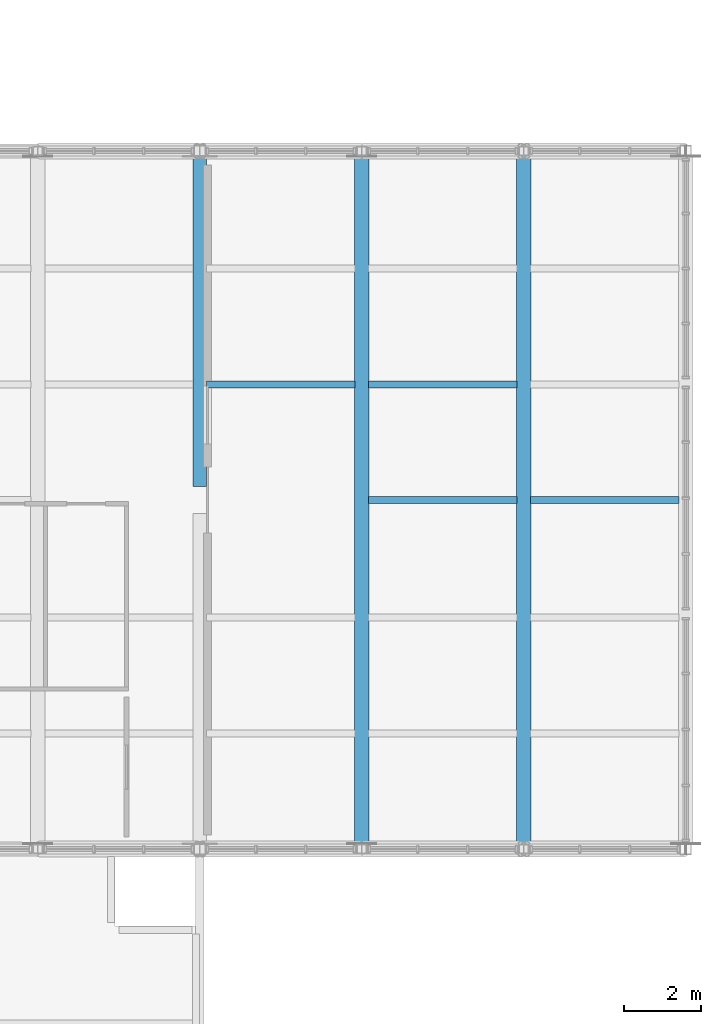
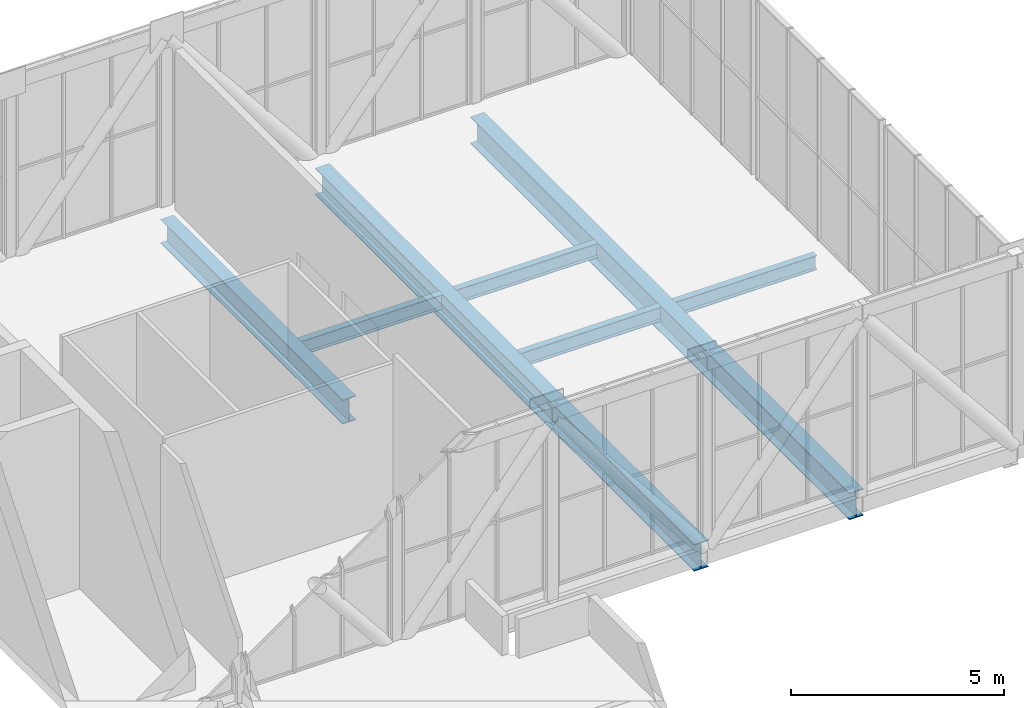
# One storey, part 38 of 58: 7 beams.
"""IFC4 building model written with IfcOpenShell, lengths in metres."""

from ifc_helpers import new_model, si_unit, direction, frame, origin, origin_2d, place, context, subcontext, project, spatial, i_section, extrude, material, material_profile, profile_set, type_object, element, save


model = new_model("IFC4")

# Units and contexts
model_context = context("Model", 3, precision=1e-05, world=origin(), true_north=direction((0.0, 1.0)))
body_context = subcontext(model_context, "Body", "Model", "MODEL_VIEW")
ifc_project = project(units=[si_unit("LENGTHUNIT", "METRE"), si_unit("AREAUNIT", "SQUARE_METRE"), si_unit("VOLUMEUNIT", "CUBIC_METRE"), si_unit("PLANEANGLEUNIT", "RADIAN"), si_unit("MASSUNIT", "GRAM", prefix="KILO")], contexts=[model_context])

# Site, building, storey
site_placement = place(None, origin())
site = spatial("IfcSite", under=ifc_project, at=site_placement, CompositionType="ELEMENT")
building_placement = place(site_placement, origin())
building = spatial("IfcBuilding", under=site, at=building_placement, Name="Khurvash Pelagic Aquarium", CompositionType="ELEMENT")
storey_placement = place(building_placement, frame((0.0, 0.0, 24.60009765625)))
storey = spatial("IfcBuildingStorey", under=building, at=storey_placement, Name="L05", CompositionType="ELEMENT", Elevation=24.60009765625)

# Beams
ifc_material = material(Name="Steel ASTM A992 Grade 50", Category="steel")
ifc_material_profile_1 = material_profile(ifc_material, i_section(OverallWidth=0.381103515625, OverallDepth=0.77197265625, WebThickness=0.0166015625, FlangeThickness=0.027099609375, at=origin_2d()), Name="W30X173")
ifc_profile_set_1 = profile_set([ifc_material_profile_1], Name="Steel ASTM A992 Grade 50")
beam_type_1 = type_object("IfcBeamType", Name="BM-08", PredefinedType="BEAM", material=ifc_profile_set_1)
for number, where, z_axis, x_axis, name in (
    (1, (113.39990234375, 11.81005859375, -0.68603515625), (0.0, 1.0, 0.0), (-1.0, 0.0, 0.0), "L05 Sky-Bar Transverse Floor Girder BM-08 N25"),
    (2, (117.60009765625, 11.81005859375, -0.68603515625), (0.0, 1.0, 0.0), (-1.0, 0.0, 0.0), "L05 Sky-Bar Transverse Floor Girder BM-08 N26"),
):
    element("IfcBeam", number, at=place(storey_placement, frame(where, z_axis=z_axis, x_axis=x_axis)), inside=storey, type_object=beam_type_1, Name=name, PredefinedType="BEAM", context=body_context, shape_type="SweptSolid", body=[
        extrude(i_section(OverallWidth=0.381103515625, OverallDepth=0.77197265625, WebThickness=0.0166015625, FlangeThickness=0.027099609375, at=origin_2d()), origin(), (0.0, 0.0, 1.0), 17.780029296875),
    ])
ifc_material_profile_2 = material_profile(ifc_material, i_section(OverallWidth=0.35595703125, OverallDepth=0.696044921875, WebThickness=0.015380859375, FlangeThickness=0.02490234375, at=origin_2d()), Name="W27X146")
ifc_profile_set_2 = profile_set([ifc_material_profile_2], Name="Steel ASTM A992 Grade 50")
beam_type_2 = type_object("IfcBeamType", Name="BM-09", PredefinedType="BEAM", material=ifc_profile_set_2)
beam_1_placement = place(storey_placement, frame((109.199951171875, 21.050048828125, -0.648193359375), z_axis=(0.0, 1.0, 0.0), x_axis=(-1.0, 0.0, 0.0)))
element("IfcBeam", 3, at=beam_1_placement, inside=storey, type_object=beam_type_2, Name="L05 Sky-Bar Transverse Floor Girder BM-09 N24", PredefinedType="BEAM", context=body_context, shape_type="SweptSolid", body=[
    extrude(i_section(OverallWidth=0.35595703125, OverallDepth=0.696044921875, WebThickness=0.015380859375, FlangeThickness=0.02490234375, at=origin_2d()), origin(), (0.0, 0.0, 1.0), 8.5400390625),
])
ifc_material_profile_3 = material_profile(ifc_material, i_section(OverallWidth=0.180908203125, OverallDepth=0.4169921875, WebThickness=0.010986328125, FlangeThickness=0.018310546875, at=origin_2d()), Name="W16X57")
ifc_profile_set_3 = profile_set([ifc_material_profile_3], Name="Steel ASTM A992 Grade 50")
beam_type_3 = type_object("IfcBeamType", Name="JS-03", PredefinedType="JOIST", material=ifc_profile_set_3)
beam_2_placement = place(storey_placement, frame((109.3798828125, 23.699951171875, -0.508544921875), z_axis=(1.0, 0.0, 0.0), x_axis=(0.0, 1.0, 0.0)))
element("IfcBeam", 4, at=beam_2_placement, inside=storey, type_object=beam_type_3, Name="L05 Sky-Bar Floor Joist JS-03 P24", PredefinedType="JOIST", context=body_context, shape_type="SweptSolid", body=[
    extrude(i_section(OverallWidth=0.180908203125, OverallDepth=0.4169921875, WebThickness=0.010986328125, FlangeThickness=0.018310546875, at=origin_2d()), origin(), (0.0, 0.0, 1.0), 3.840087890625),
])
for number, where, z_axis, x_axis, name in (
    (5, (113.580078125, 20.699951171875, -0.508544921875), (1.0, 0.0, 0.0), (0.0, 1.0, 0.0), "L05 Sky-Bar Floor Joist JS-03 P25"),
    (6, (113.580078125, 23.699951171875, -0.508544921875), (1.0, 0.0, 0.0), (0.0, 1.0, 0.0), "L05 Sky-Bar Floor Joist JS-03 P25"),
):
    element("IfcBeam", number, at=place(storey_placement, frame(where, z_axis=z_axis, x_axis=x_axis)), inside=storey, type_object=beam_type_3, Name=name, PredefinedType="JOIST", context=body_context, shape_type="SweptSolid", body=[
        extrude(i_section(OverallWidth=0.180908203125, OverallDepth=0.4169921875, WebThickness=0.010986328125, FlangeThickness=0.018310546875, at=origin_2d()), origin(), (0.0, 0.0, 1.0), 3.83984375),
    ])
beam_3_placement = place(storey_placement, frame((117.780029296875, 20.699951171875, -0.508544921875), z_axis=(1.0, 0.0, 0.0), x_axis=(0.0, 1.0, 0.0)))
element("IfcBeam", 7, at=beam_3_placement, inside=storey, type_object=beam_type_3, Name="L05 Sky-Bar Floor Joist JS-03 P26", PredefinedType="JOIST", context=body_context, shape_type="SweptSolid", body=[
    extrude(i_section(OverallWidth=0.180908203125, OverallDepth=0.4169921875, WebThickness=0.010986328125, FlangeThickness=0.018310546875, at=origin_2d()), origin(), (0.0, 0.0, 1.0), 3.840087890625),
])

save(model, "model.ifc")
